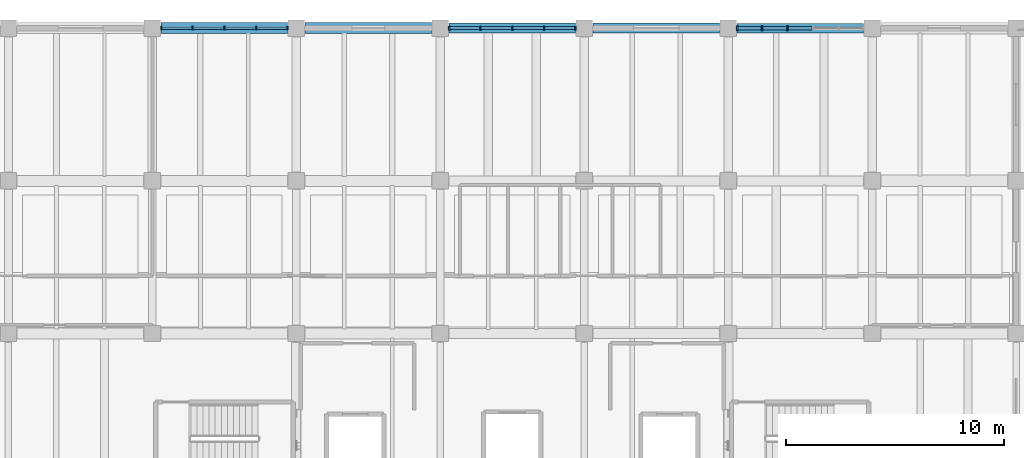
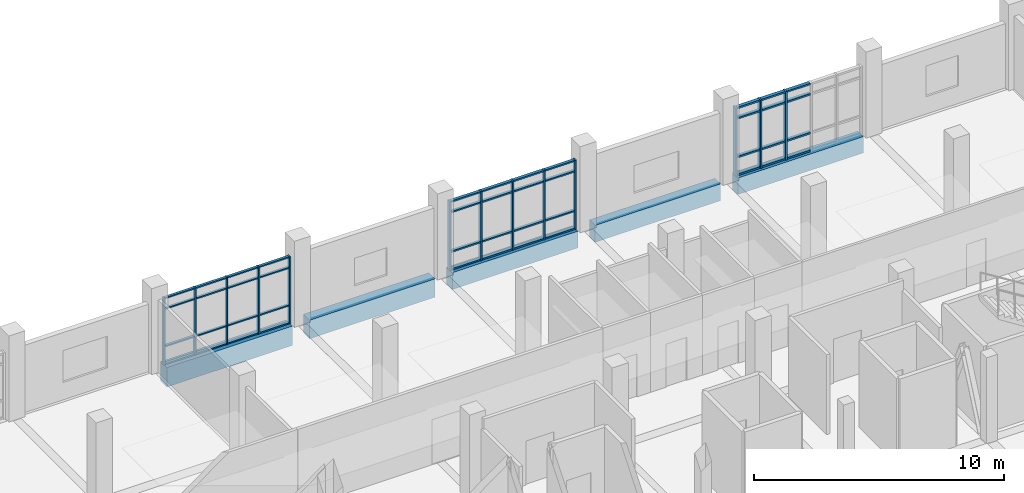
# One storey, part 32 of 65: 57 members, 5 beams, 3 elements without a shape of their own.
"""IFC4 building model written with IfcOpenShell, lengths in metres."""

import ifcopenshell
import ifcopenshell.guid

model = None  # the IFC model being written
_history = None  # IfcOwnerHistory: only IFC2X3 demands one
_inside = {}  # id of a spatial element -> (the spatial element, [elements in it])
_under = {}  # id of a project, library or spatial element -> (it, [spatial elements below it])
_declared = {}  # id of a project -> (the project, [libraries it declares])
_typed = {}  # id of a type object -> (the type object, [elements of that type])
_made_of = {}  # id of a material, layer set ... -> (it, [elements and type objects made of it])


def new_model(schema):
    """Start an empty IFC model of exactly this schema.

    Asked for "IFC4X3", IfcOpenShell would pick the latest addendum, in which some entities
    have other attributes; the version numbers below select the first issue.
    IFC2X3 requires an IfcOwnerHistory on every rooted entity: one is made here for all.
    """
    global model, _history
    if schema == "IFC4X3":
        model = ifcopenshell.file(schema_version=(4, 3, 0, 0))
    else:
        model = ifcopenshell.file(schema=schema)
    _inside.clear()
    _under.clear()
    _declared.clear()
    _typed.clear()
    _made_of.clear()
    _history = None
    if model.schema == "IFC2X3":
        org = make("IfcOrganization", Name="unknown")
        user = make(
            "IfcPersonAndOrganization",
            ThePerson=make("IfcPerson", FamilyName="unknown"),
            TheOrganization=org,
        )
        app = make(
            "IfcApplication",
            ApplicationDeveloper=org,
            Version="unknown",
            ApplicationFullName="unknown",
            ApplicationIdentifier="unknown",
        )
        _history = make(
            "IfcOwnerHistory",
            OwningUser=user,
            OwningApplication=app,
            ChangeAction="ADDED",
            CreationDate=0,
        )
    return model


def make(cls, **values):
    """One entity of the class cls with the attributes given. An attribute that is None is left unset."""
    return model.create_entity(
        cls, **{name: value for name, value in values.items() if value is not None}
    )


def rooted(cls, **values):
    """An entity with a GlobalId (a new one), such as an element, a storey or a relation."""
    return make(cls, GlobalId=ifcopenshell.guid.new(), OwnerHistory=_history, **values)


def si_unit(unit_type, name, prefix=None):
    """IfcSIUnit, for example si_unit("LENGTHUNIT", "METRE", prefix="MILLI")."""
    return make("IfcSIUnit", UnitType=unit_type, Prefix=prefix, Name=name)


def assignment(units):
    """IfcUnitAssignment: the units of a project."""
    return None if units is None else make("IfcUnitAssignment", Units=units)


def point(xyz):
    """IfcCartesianPoint."""
    return None if xyz is None else make("IfcCartesianPoint", Coordinates=xyz)


def direction(xyz):
    """IfcDirection."""
    return None if xyz is None else make("IfcDirection", DirectionRatios=xyz)


def frame(location, z_axis=None, x_axis=None):
    """IfcAxis2Placement3D, a coordinate frame: its origin and axes. An axis left out is left unset."""
    return make(
        "IfcAxis2Placement3D",
        Location=point(location),
        Axis=direction(z_axis),
        RefDirection=direction(x_axis),
    )


def frame_2d(location, x_axis=None):
    """IfcAxis2Placement2D, a coordinate frame in the plane: its origin and x axis."""
    return make(
        "IfcAxis2Placement2D", Location=point(location), RefDirection=direction(x_axis)
    )


def origin():
    """The frame at (0, 0, 0) with its axes left unset."""
    return frame((0.0, 0.0, 0.0))


def origin_2d():
    """The frame at (0, 0) in the plane with its x axis left unset."""
    return frame_2d((0.0, 0.0))


def place(relative_to, where):
    """IfcLocalPlacement: puts the frame where relative to a parent placement (None: the world)."""
    return make(
        "IfcLocalPlacement", PlacementRelTo=relative_to, RelativePlacement=where
    )


def context(
    kind, dimensions, precision=None, world=None, true_north=None, identifier=None
):
    """IfcGeometricRepresentationContext, for example the 3D "Model" context."""
    return make(
        "IfcGeometricRepresentationContext",
        ContextIdentifier=identifier,
        ContextType=kind,
        CoordinateSpaceDimension=dimensions,
        Precision=precision,
        WorldCoordinateSystem=world,
        TrueNorth=true_north,
    )


def subcontext(parent, identifier, kind, view, scale=None):
    """IfcGeometricRepresentationSubContext, for example "Body" below "Model"."""
    return make(
        "IfcGeometricRepresentationSubContext",
        ContextIdentifier=identifier,
        ContextType=kind,
        ParentContext=parent,
        TargetScale=scale,
        TargetView=view,
    )


def project(units=None, contexts=None):
    """IfcProject with its units and contexts."""
    return rooted(
        "IfcProject",
        Name="project",
        RepresentationContexts=contexts,
        UnitsInContext=assignment(units),
    )


def spatial(cls, under=None, at=None, **own):
    """A site, building, storey or space (cls), placed at a placement, below another one or the project."""
    s = rooted(cls, ObjectPlacement=at, **own)
    if under is not None:
        _under.setdefault(under.id(), (under, []))[1].append(s)
    return s


def profile(cls, at=None, kind="AREA", **sizes):
    """A parametric profile (cls). Its sizes go by their IFC names, for example OverallWidth=200.0."""
    return make(cls, ProfileType=kind, Position=at, **sizes)


def rectangle(**sizes):
    """IfcRectangleProfileDef."""
    return profile("IfcRectangleProfileDef", **sizes)


def extrude(swept, where, along, depth):
    """IfcExtrudedAreaSolid: the profile swept, set in the frame where, extruded along a direction by depth."""
    return make(
        "IfcExtrudedAreaSolid",
        SweptArea=swept,
        Position=where,
        ExtrudedDirection=direction(along),
        Depth=depth,
    )


def shape(context_of_items, identifier, shape_type, items):
    """IfcShapeRepresentation: the items that make up one representation, for example the "Body"."""
    return make(
        "IfcShapeRepresentation",
        ContextOfItems=context_of_items,
        RepresentationIdentifier=identifier,
        RepresentationType=shape_type,
        Items=items,
    )


def material(Name=None, Category=None):
    """IfcMaterial."""
    return make("IfcMaterial", Name=Name, Category=Category)


def material_profile(
    of_material, cross_section, Name=None, Category=None, Priority=None
):
    """IfcMaterialProfile: a cross section and its material."""
    return make(
        "IfcMaterialProfile",
        Name=Name,
        Material=of_material,
        Profile=cross_section,
        Priority=Priority,
        Category=Category,
    )


def profile_set(profiles, Name=None, composite=None):
    """IfcMaterialProfileSet."""
    return make(
        "IfcMaterialProfileSet",
        Name=Name,
        MaterialProfiles=profiles,
        CompositeProfile=composite,
    )


def made_of(thing, what):
    """Note that an element or type object is made of a material, layer set ...; save() writes the relation."""
    if what is not None:
        _made_of.setdefault(what.id(), (what, []))[1].append(thing)
    return thing


def type_object(cls, material=None, **own):
    """A type object (cls), such as IfcWallType, which elements share."""
    return made_of(rooted(cls, **own), material)


def element(
    cls,
    number,
    at=None,
    inside=None,
    cuts=None,
    type_object=None,
    material=None,
    context=None,
    identifier="Body",
    shape_type=None,
    held_by="IfcProductDefinitionShape",
    body=None,
    shapes=None,
    **own,
):
    """One element of the class cls, such as IfcWall. Its Tag is "e" and its number.

    at: its placement. inside: the storey or other place that contains it. cuts: it is an
    opening in that element (IfcRelVoidsElement). A single representation is given by context,
    identifier, shape_type and body (its items); several are given by shapes. held_by: the class
    of the entity that holds the representations. save() writes the other relations.
    """
    e = rooted(cls, Tag="e%d" % number, ObjectPlacement=at, **own)
    if body is not None:
        shapes = [shape(context, identifier, shape_type, body)]
    if shapes is not None:
        e.Representation = make(held_by, Representations=shapes)
    if inside is not None:
        _inside.setdefault(inside.id(), (inside, []))[1].append(e)
    if cuts is not None:
        rooted(
            "IfcRelVoidsElement", RelatingBuildingElement=cuts, RelatedOpeningElement=e
        )
    if type_object is not None:
        _typed.setdefault(type_object.id(), (type_object, []))[1].append(e)
    return made_of(e, material)


def aggregate(whole, parts):
    """IfcRelAggregates: a whole, such as a stair, and the parts it consists of."""
    return rooted("IfcRelAggregates", RelatingObject=whole, RelatedObjects=parts)


def save(model, path):
    """Write the relations noted so far, then the file.

    IfcRelAggregates (storeys below a building ...), IfcRelContainedInSpatialStructure (elements
    in a storey), IfcRelDefinesByType, IfcRelAssociatesMaterial and IfcRelDeclares: one each for
    every whole, place, type object, material and project.
    """
    for whole, parts in _under.values():
        aggregate(whole, parts)
    for where, things in _inside.values():
        rooted(
            "IfcRelContainedInSpatialStructure",
            RelatedElements=things,
            RelatingStructure=where,
        )
    for kind, things in _typed.values():
        rooted("IfcRelDefinesByType", RelatedObjects=things, RelatingType=kind)
    for what, things in _made_of.values():
        rooted("IfcRelAssociatesMaterial", RelatedObjects=things, RelatingMaterial=what)
    for by, libraries in _declared.values():
        rooted("IfcRelDeclares", RelatingContext=by, RelatedDefinitions=libraries)
    model.write(path)


model = new_model("IFC4")

# Units and contexts
model_context = context("Model", 3, precision=1e-05, world=origin(), true_north=direction((0.0, 1.0)))
body_context = subcontext(model_context, "Body", "Model", "MODEL_VIEW")
ifc_project = project(units=[si_unit("LENGTHUNIT", "METRE"), si_unit("AREAUNIT", "SQUARE_METRE"), si_unit("VOLUMEUNIT", "CUBIC_METRE"), si_unit("PLANEANGLEUNIT", "RADIAN"), si_unit("MASSUNIT", "GRAM", prefix="KILO")], contexts=[model_context])

# Site, building, storey
site_placement = place(None, origin())
site = spatial("IfcSite", under=ifc_project, at=site_placement, CompositionType="ELEMENT")
building_placement = place(site_placement, origin())
building = spatial("IfcBuilding", under=site, at=building_placement, Name="Ciguamira Faculty of Natural Sciences", CompositionType="ELEMENT")
storey_placement = place(building_placement, frame((0.0, 0.0, 12.60009765625)))
storey = spatial("IfcBuildingStorey", under=building, at=storey_placement, Name="L03", CompositionType="ELEMENT", Elevation=12.60009765625)

# Curtain wall, members
ifc_material_1 = material(Name="Anodized aluminium curtain wall", Category="aluminium")
curtain_wall_type_1 = type_object("IfcCurtainWallType", Name="CurtainWall_CW-01", PredefinedType="USERDEFINED", material=ifc_material_1)
curtain_wall_1_placement = place(storey_placement, origin())
curtain_wall_1 = element("IfcCurtainWall", 1, at=curtain_wall_1_placement, inside=storey, type_object=curtain_wall_type_1, Name="L03 unitised curtain wall 0097", ObjectType="UNITISED CURTAIN WALL", PredefinedType="USERDEFINED")
ifc_material_2 = material(Name="Anodized aluminium mullion", Category="aluminium")
ifc_material_profile_1 = material_profile(ifc_material_2, rectangle(XDim=0.06005859375, YDim=0.159912109375, at=origin_2d()), Name="ALU-MUL-60X160")
ifc_profile_set_1 = profile_set([ifc_material_profile_1], Name="Anodized aluminium mullion")
member_type_1 = type_object("IfcMemberType", Name="CWMullion_CWM-01", PredefinedType="MULLION", material=ifc_profile_set_1)
member_1_placement = place(storey_placement, frame((70.905029296875, 115.0, 0.0), z_axis=(0.0, 0.0, 1.0), x_axis=(1.0, 0.0, 0.0)))
member_1 = element("IfcMember", 2, at=member_1_placement, type_object=member_type_1, Name="CW-01 mullion 1", PredefinedType="MULLION", context=body_context, shape_type="SweptSolid", body=[
    extrude(rectangle(XDim=0.06005859375, YDim=0.159912109375, at=origin_2d()), origin(), (0.0, 0.0, 1.0), 3.284912109375),
])
member_2_placement = place(storey_placement, frame((72.33740234375, 115.0, 0.0), z_axis=(0.0, 0.0, 1.0), x_axis=(1.0, 0.0, 0.0)))
member_2 = element("IfcMember", 3, at=member_2_placement, type_object=member_type_1, Name="CW-01 mullion 2", PredefinedType="MULLION", context=body_context, shape_type="SweptSolid", body=[
    extrude(rectangle(XDim=0.06005859375, YDim=0.159912109375, at=origin_2d()), origin(), (0.0, 0.0, 1.0), 3.284912109375),
])
member_3_placement = place(storey_placement, frame((73.800048828125, 115.0, 0.0), z_axis=(0.0, 0.0, 1.0), x_axis=(1.0, 0.0, 0.0)))
member_3 = element("IfcMember", 4, at=member_3_placement, type_object=member_type_1, Name="CW-01 mullion 3", PredefinedType="MULLION", context=body_context, shape_type="SweptSolid", body=[
    extrude(rectangle(XDim=0.06005859375, YDim=0.159912109375, at=origin_2d()), origin(), (0.0, 0.0, 1.0), 3.284912109375),
])
member_4_placement = place(storey_placement, frame((75.262451171875, 115.0, 0.0), z_axis=(0.0, 0.0, 1.0), x_axis=(1.0, 0.0, 0.0)))
member_4 = element("IfcMember", 5, at=member_4_placement, type_object=member_type_1, Name="CW-01 mullion 4", PredefinedType="MULLION", context=body_context, shape_type="SweptSolid", body=[
    extrude(rectangle(XDim=0.06005859375, YDim=0.159912109375, at=origin_2d()), origin(), (0.0, 0.0, 1.0), 3.284912109375),
])
member_5_placement = place(storey_placement, frame((76.695068359375, 115.0, 0.0), z_axis=(0.0, 0.0, 1.0), x_axis=(1.0, 0.0, 0.0)))
member_5 = element("IfcMember", 6, at=member_5_placement, type_object=member_type_1, Name="CW-01 mullion 5", PredefinedType="MULLION", context=body_context, shape_type="SweptSolid", body=[
    extrude(rectangle(XDim=0.06005859375, YDim=0.159912109375, at=origin_2d()), origin(), (0.0, 0.0, 1.0), 3.284912109375),
])

curtain_wall_type_2 = type_object("IfcCurtainWallType", Name="CurtainWall_CW-02", PredefinedType="USERDEFINED", material=ifc_material_1)
curtain_wall_2_placement = place(storey_placement, origin())
curtain_wall_2 = element("IfcCurtainWall", 7, at=curtain_wall_2_placement, inside=storey, type_object=curtain_wall_type_2, Name="L03 unitised curtain wall 0098", ObjectType="UNITISED CURTAIN WALL", PredefinedType="USERDEFINED")
ifc_material_profile_2 = material_profile(ifc_material_2, rectangle(XDim=0.070068359375, YDim=0.179931640625, at=origin_2d()), Name="ALU-MUL-70X180")
ifc_profile_set_2 = profile_set([ifc_material_profile_2], Name="Anodized aluminium mullion")
member_type_2 = type_object("IfcMemberType", Name="CWMullion_CWM-02", PredefinedType="MULLION", material=ifc_profile_set_2)
member_6_placement = place(storey_placement, frame((84.110107421875, 115.0, 0.0), z_axis=(0.0, 0.0, 1.0), x_axis=(1.0, 0.0, 0.0)))
member_6 = element("IfcMember", 8, at=member_6_placement, type_object=member_type_2, Name="CW-02 mullion 1", PredefinedType="MULLION", context=body_context, shape_type="SweptSolid", body=[
    extrude(rectangle(XDim=0.070068359375, YDim=0.179931640625, at=origin_2d()), origin(), (0.0, 0.0, 1.0), 3.385009765625),
])
member_7_placement = place(storey_placement, frame((85.53759765625, 115.0, 0.0), z_axis=(0.0, 0.0, 1.0), x_axis=(1.0, 0.0, 0.0)))
member_7 = element("IfcMember", 9, at=member_7_placement, type_object=member_type_2, Name="CW-02 mullion 2", PredefinedType="MULLION", context=body_context, shape_type="SweptSolid", body=[
    extrude(rectangle(XDim=0.070068359375, YDim=0.179931640625, at=origin_2d()), origin(), (0.0, 0.0, 1.0), 3.385009765625),
])
member_8_placement = place(storey_placement, frame((87.0, 115.0, 0.0), z_axis=(0.0, 0.0, 1.0), x_axis=(1.0, 0.0, 0.0)))
member_8 = element("IfcMember", 10, at=member_8_placement, type_object=member_type_2, Name="CW-02 mullion 3", PredefinedType="MULLION", context=body_context, shape_type="SweptSolid", body=[
    extrude(rectangle(XDim=0.070068359375, YDim=0.179931640625, at=origin_2d()), origin(), (0.0, 0.0, 1.0), 3.385009765625),
])
member_9_placement = place(storey_placement, frame((88.46240234375, 115.0, 0.0), z_axis=(0.0, 0.0, 1.0), x_axis=(1.0, 0.0, 0.0)))
member_9 = element("IfcMember", 11, at=member_9_placement, type_object=member_type_2, Name="CW-02 mullion 4", PredefinedType="MULLION", context=body_context, shape_type="SweptSolid", body=[
    extrude(rectangle(XDim=0.070068359375, YDim=0.179931640625, at=origin_2d()), origin(), (0.0, 0.0, 1.0), 3.385009765625),
])
member_10_placement = place(storey_placement, frame((89.889892578125, 115.0, 0.0), z_axis=(0.0, 0.0, 1.0), x_axis=(1.0, 0.0, 0.0)))
member_10 = element("IfcMember", 12, at=member_10_placement, type_object=member_type_2, Name="CW-02 mullion 5", PredefinedType="MULLION", context=body_context, shape_type="SweptSolid", body=[
    extrude(rectangle(XDim=0.070068359375, YDim=0.179931640625, at=origin_2d()), origin(), (0.0, 0.0, 1.0), 3.385009765625),
])

curtain_wall_type_3 = type_object("IfcCurtainWallType", Name="CurtainWall_CW-03", PredefinedType="USERDEFINED", material=ifc_material_1)
curtain_wall_3_placement = place(storey_placement, origin())
curtain_wall_3 = element("IfcCurtainWall", 13, at=curtain_wall_3_placement, inside=storey, type_object=curtain_wall_type_3, Name="L03 unitised curtain wall 0099", ObjectType="UNITISED CURTAIN WALL", PredefinedType="USERDEFINED")
ifc_material_profile_3 = material_profile(ifc_material_2, rectangle(XDim=0.080078125, YDim=0.219970703125, at=origin_2d()), Name="ALU-MUL-80X220")
ifc_profile_set_3 = profile_set([ifc_material_profile_3], Name="Anodized aluminium mullion")
member_type_3 = type_object("IfcMemberType", Name="CWMullion_CWM-03", PredefinedType="MULLION", material=ifc_profile_set_3)
member_11_placement = place(storey_placement, frame((97.31494140625, 115.0, 0.0), z_axis=(0.0, 0.0, 1.0), x_axis=(1.0, 0.0, 0.0)))
member_11 = element("IfcMember", 14, at=member_11_placement, type_object=member_type_3, Name="CW-03 mullion 1", PredefinedType="MULLION", context=body_context, shape_type="SweptSolid", body=[
    extrude(rectangle(XDim=0.080078125, YDim=0.219970703125, at=origin_2d()), origin(), (0.0, 0.0, 1.0), 3.344970703125),
])
member_12_placement = place(storey_placement, frame((98.445068359375, 115.0, 0.0), z_axis=(0.0, 0.0, 1.0), x_axis=(1.0, 0.0, 0.0)))
member_12 = element("IfcMember", 15, at=member_12_placement, type_object=member_type_3, Name="CW-03 mullion 2", PredefinedType="MULLION", context=body_context, shape_type="SweptSolid", body=[
    extrude(rectangle(XDim=0.080078125, YDim=0.219970703125, at=origin_2d()), origin(), (0.0, 0.0, 1.0), 3.344970703125),
])
member_13_placement = place(storey_placement, frame((99.614990234375, 115.0, 0.0), z_axis=(0.0, 0.0, 1.0), x_axis=(1.0, 0.0, 0.0)))
member_13 = element("IfcMember", 16, at=member_13_placement, type_object=member_type_3, Name="CW-03 mullion 3", PredefinedType="MULLION", context=body_context, shape_type="SweptSolid", body=[
    extrude(rectangle(XDim=0.080078125, YDim=0.219970703125, at=origin_2d()), origin(), (0.0, 0.0, 1.0), 3.344970703125),
])

# Member
ifc_material_3 = material(Name="Anodized aluminium transom", Category="aluminium")
ifc_material_profile_4 = material_profile(ifc_material_3, rectangle(XDim=0.06005859375, YDim=0.1201171875, at=origin_2d()), Name="ALU-TRN-60X120")
ifc_profile_set_4 = profile_set([ifc_material_profile_4], Name="Anodized aluminium transom")
member_type_4 = type_object("IfcMemberType", Name="CWTransom_CWT-01", PredefinedType="USERDEFINED", material=ifc_profile_set_4)
member_14_placement = place(storey_placement, frame((70.93505859375, 115.0, 0.02978515625), z_axis=(1.0, 0.0, 0.0), x_axis=(0.0, 0.0, 1.0)))
member_14 = element("IfcMember", 17, at=member_14_placement, type_object=member_type_4, Name="CW-01 transom 1.1", ObjectType="TRANSOM", PredefinedType="USERDEFINED", context=body_context, shape_type="SweptSolid", body=[
    extrude(rectangle(XDim=0.06005859375, YDim=0.1201171875, at=origin_2d()), origin(), (0.0, 0.0, 1.0), 1.37255859375),
])

member_15_placement = place(storey_placement, frame((70.93505859375, 115.0, 0.89990234375), z_axis=(1.0, 0.0, 0.0), x_axis=(0.0, 0.0, 1.0)))
member_15 = element("IfcMember", 18, at=member_15_placement, type_object=member_type_4, Name="CW-01 transom 1.2", ObjectType="TRANSOM", PredefinedType="USERDEFINED", context=body_context, shape_type="SweptSolid", body=[
    extrude(rectangle(XDim=0.06005859375, YDim=0.1201171875, at=origin_2d()), origin(), (0.0, 0.0, 1.0), 1.37255859375),
])

member_16_placement = place(storey_placement, frame((70.93505859375, 115.0, 2.73486328125), z_axis=(1.0, 0.0, 0.0), x_axis=(0.0, 0.0, 1.0)))
member_16 = element("IfcMember", 19, at=member_16_placement, type_object=member_type_4, Name="CW-01 transom 1.3", ObjectType="TRANSOM", PredefinedType="USERDEFINED", context=body_context, shape_type="SweptSolid", body=[
    extrude(rectangle(XDim=0.06005859375, YDim=0.1201171875, at=origin_2d()), origin(), (0.0, 0.0, 1.0), 1.37255859375),
])

member_17_placement = place(storey_placement, frame((70.93505859375, 115.0, 3.2548828125), z_axis=(1.0, 0.0, 0.0), x_axis=(0.0, 0.0, 1.0)))
member_17 = element("IfcMember", 20, at=member_17_placement, type_object=member_type_4, Name="CW-01 transom 1.4", ObjectType="TRANSOM", PredefinedType="USERDEFINED", context=body_context, shape_type="SweptSolid", body=[
    extrude(rectangle(XDim=0.06005859375, YDim=0.1201171875, at=origin_2d()), origin(), (0.0, 0.0, 1.0), 1.37255859375),
])

member_18_placement = place(storey_placement, frame((72.367431640625, 115.0, 0.02978515625), z_axis=(1.0, 0.0, 0.0), x_axis=(0.0, 0.0, 1.0)))
member_18 = element("IfcMember", 21, at=member_18_placement, type_object=member_type_4, Name="CW-01 transom 2.1", ObjectType="TRANSOM", PredefinedType="USERDEFINED", context=body_context, shape_type="SweptSolid", body=[
    extrude(rectangle(XDim=0.06005859375, YDim=0.1201171875, at=origin_2d()), origin(), (0.0, 0.0, 1.0), 1.402587890625),
])

member_19_placement = place(storey_placement, frame((72.367431640625, 115.0, 0.89990234375), z_axis=(1.0, 0.0, 0.0), x_axis=(0.0, 0.0, 1.0)))
member_19 = element("IfcMember", 22, at=member_19_placement, type_object=member_type_4, Name="CW-01 transom 2.2", ObjectType="TRANSOM", PredefinedType="USERDEFINED", context=body_context, shape_type="SweptSolid", body=[
    extrude(rectangle(XDim=0.06005859375, YDim=0.1201171875, at=origin_2d()), origin(), (0.0, 0.0, 1.0), 1.402587890625),
])

member_20_placement = place(storey_placement, frame((72.367431640625, 115.0, 2.73486328125), z_axis=(1.0, 0.0, 0.0), x_axis=(0.0, 0.0, 1.0)))
member_20 = element("IfcMember", 23, at=member_20_placement, type_object=member_type_4, Name="CW-01 transom 2.3", ObjectType="TRANSOM", PredefinedType="USERDEFINED", context=body_context, shape_type="SweptSolid", body=[
    extrude(rectangle(XDim=0.06005859375, YDim=0.1201171875, at=origin_2d()), origin(), (0.0, 0.0, 1.0), 1.402587890625),
])

member_21_placement = place(storey_placement, frame((72.367431640625, 115.0, 3.2548828125), z_axis=(1.0, 0.0, 0.0), x_axis=(0.0, 0.0, 1.0)))
member_21 = element("IfcMember", 24, at=member_21_placement, type_object=member_type_4, Name="CW-01 transom 2.4", ObjectType="TRANSOM", PredefinedType="USERDEFINED", context=body_context, shape_type="SweptSolid", body=[
    extrude(rectangle(XDim=0.06005859375, YDim=0.1201171875, at=origin_2d()), origin(), (0.0, 0.0, 1.0), 1.402587890625),
])

member_22_placement = place(storey_placement, frame((73.830078125, 115.0, 0.02978515625), z_axis=(1.0, 0.0, 0.0), x_axis=(0.0, 0.0, 1.0)))
member_22 = element("IfcMember", 25, at=member_22_placement, type_object=member_type_4, Name="CW-01 transom 3.1", ObjectType="TRANSOM", PredefinedType="USERDEFINED", context=body_context, shape_type="SweptSolid", body=[
    extrude(rectangle(XDim=0.06005859375, YDim=0.1201171875, at=origin_2d()), origin(), (0.0, 0.0, 1.0), 1.40234375),
])

member_23_placement = place(storey_placement, frame((73.830078125, 115.0, 0.89990234375), z_axis=(1.0, 0.0, 0.0), x_axis=(0.0, 0.0, 1.0)))
member_23 = element("IfcMember", 26, at=member_23_placement, type_object=member_type_4, Name="CW-01 transom 3.2", ObjectType="TRANSOM", PredefinedType="USERDEFINED", context=body_context, shape_type="SweptSolid", body=[
    extrude(rectangle(XDim=0.06005859375, YDim=0.1201171875, at=origin_2d()), origin(), (0.0, 0.0, 1.0), 1.40234375),
])

member_24_placement = place(storey_placement, frame((73.830078125, 115.0, 2.73486328125), z_axis=(1.0, 0.0, 0.0), x_axis=(0.0, 0.0, 1.0)))
member_24 = element("IfcMember", 27, at=member_24_placement, type_object=member_type_4, Name="CW-01 transom 3.3", ObjectType="TRANSOM", PredefinedType="USERDEFINED", context=body_context, shape_type="SweptSolid", body=[
    extrude(rectangle(XDim=0.06005859375, YDim=0.1201171875, at=origin_2d()), origin(), (0.0, 0.0, 1.0), 1.40234375),
])

member_25_placement = place(storey_placement, frame((73.830078125, 115.0, 3.2548828125), z_axis=(1.0, 0.0, 0.0), x_axis=(0.0, 0.0, 1.0)))
member_25 = element("IfcMember", 28, at=member_25_placement, type_object=member_type_4, Name="CW-01 transom 3.4", ObjectType="TRANSOM", PredefinedType="USERDEFINED", context=body_context, shape_type="SweptSolid", body=[
    extrude(rectangle(XDim=0.06005859375, YDim=0.1201171875, at=origin_2d()), origin(), (0.0, 0.0, 1.0), 1.40234375),
])

member_26_placement = place(storey_placement, frame((75.29248046875, 115.0, 0.02978515625), z_axis=(1.0, 0.0, 0.0), x_axis=(0.0, 0.0, 1.0)))
member_26 = element("IfcMember", 29, at=member_26_placement, type_object=member_type_4, Name="CW-01 transom 4.1", ObjectType="TRANSOM", PredefinedType="USERDEFINED", context=body_context, shape_type="SweptSolid", body=[
    extrude(rectangle(XDim=0.06005859375, YDim=0.1201171875, at=origin_2d()), origin(), (0.0, 0.0, 1.0), 1.37255859375),
])

member_27_placement = place(storey_placement, frame((75.29248046875, 115.0, 0.89990234375), z_axis=(1.0, 0.0, 0.0), x_axis=(0.0, 0.0, 1.0)))
member_27 = element("IfcMember", 30, at=member_27_placement, type_object=member_type_4, Name="CW-01 transom 4.2", ObjectType="TRANSOM", PredefinedType="USERDEFINED", context=body_context, shape_type="SweptSolid", body=[
    extrude(rectangle(XDim=0.06005859375, YDim=0.1201171875, at=origin_2d()), origin(), (0.0, 0.0, 1.0), 1.37255859375),
])

member_28_placement = place(storey_placement, frame((75.29248046875, 115.0, 2.73486328125), z_axis=(1.0, 0.0, 0.0), x_axis=(0.0, 0.0, 1.0)))
member_28 = element("IfcMember", 31, at=member_28_placement, type_object=member_type_4, Name="CW-01 transom 4.3", ObjectType="TRANSOM", PredefinedType="USERDEFINED", context=body_context, shape_type="SweptSolid", body=[
    extrude(rectangle(XDim=0.06005859375, YDim=0.1201171875, at=origin_2d()), origin(), (0.0, 0.0, 1.0), 1.37255859375),
])

member_29_placement = place(storey_placement, frame((75.29248046875, 115.0, 3.2548828125), z_axis=(1.0, 0.0, 0.0), x_axis=(0.0, 0.0, 1.0)))
member_29 = element("IfcMember", 32, at=member_29_placement, type_object=member_type_4, Name="CW-01 transom 4.4", ObjectType="TRANSOM", PredefinedType="USERDEFINED", context=body_context, shape_type="SweptSolid", body=[
    extrude(rectangle(XDim=0.06005859375, YDim=0.1201171875, at=origin_2d()), origin(), (0.0, 0.0, 1.0), 1.37255859375),
])

aggregate(curtain_wall_1, [member_1, member_2, member_3, member_4, member_5, member_14, member_15, member_16, member_17, member_18, member_19, member_20, member_21, member_22, member_23, member_24, member_25, member_26, member_27, member_28, member_29])

ifc_material_profile_5 = material_profile(ifc_material_3, rectangle(XDim=0.070068359375, YDim=0.139892578125, at=origin_2d()), Name="ALU-TRN-70X140")
ifc_profile_set_5 = profile_set([ifc_material_profile_5], Name="Anodized aluminium transom")
member_type_5 = type_object("IfcMemberType", Name="CWTransom_CWT-02", PredefinedType="USERDEFINED", material=ifc_profile_set_5)
member_30_placement = place(storey_placement, frame((84.14501953125, 115.0, 0.034912109375), z_axis=(1.0, 0.0, 0.0), x_axis=(0.0, 0.0, 1.0)))
member_30 = element("IfcMember", 33, at=member_30_placement, type_object=member_type_5, Name="CW-02 transom 1.1", ObjectType="TRANSOM", PredefinedType="USERDEFINED", context=body_context, shape_type="SweptSolid", body=[
    extrude(rectangle(XDim=0.070068359375, YDim=0.139892578125, at=origin_2d()), origin(), (0.0, 0.0, 1.0), 1.357421875),
])

member_31_placement = place(storey_placement, frame((84.14501953125, 115.0, 0.89990234375), z_axis=(1.0, 0.0, 0.0), x_axis=(0.0, 0.0, 1.0)))
member_31 = element("IfcMember", 34, at=member_31_placement, type_object=member_type_5, Name="CW-02 transom 1.2", ObjectType="TRANSOM", PredefinedType="USERDEFINED", context=body_context, shape_type="SweptSolid", body=[
    extrude(rectangle(XDim=0.070068359375, YDim=0.139892578125, at=origin_2d()), origin(), (0.0, 0.0, 1.0), 1.357421875),
])

member_32_placement = place(storey_placement, frame((84.14501953125, 115.0, 2.8349609375), z_axis=(1.0, 0.0, 0.0), x_axis=(0.0, 0.0, 1.0)))
member_32 = element("IfcMember", 35, at=member_32_placement, type_object=member_type_5, Name="CW-02 transom 1.3", ObjectType="TRANSOM", PredefinedType="USERDEFINED", context=body_context, shape_type="SweptSolid", body=[
    extrude(rectangle(XDim=0.070068359375, YDim=0.139892578125, at=origin_2d()), origin(), (0.0, 0.0, 1.0), 1.357421875),
])

member_33_placement = place(storey_placement, frame((84.14501953125, 115.0, 3.349853515625), z_axis=(1.0, 0.0, 0.0), x_axis=(0.0, 0.0, 1.0)))
member_33 = element("IfcMember", 36, at=member_33_placement, type_object=member_type_5, Name="CW-02 transom 1.4", ObjectType="TRANSOM", PredefinedType="USERDEFINED", context=body_context, shape_type="SweptSolid", body=[
    extrude(rectangle(XDim=0.070068359375, YDim=0.139892578125, at=origin_2d()), origin(), (0.0, 0.0, 1.0), 1.357421875),
])

member_34_placement = place(storey_placement, frame((85.572509765625, 115.0, 0.034912109375), z_axis=(1.0, 0.0, 0.0), x_axis=(0.0, 0.0, 1.0)))
member_34 = element("IfcMember", 37, at=member_34_placement, type_object=member_type_5, Name="CW-02 transom 2.1", ObjectType="TRANSOM", PredefinedType="USERDEFINED", context=body_context, shape_type="SweptSolid", body=[
    extrude(rectangle(XDim=0.070068359375, YDim=0.139892578125, at=origin_2d()), origin(), (0.0, 0.0, 1.0), 1.392578125),
])

member_35_placement = place(storey_placement, frame((85.572509765625, 115.0, 0.89990234375), z_axis=(1.0, 0.0, 0.0), x_axis=(0.0, 0.0, 1.0)))
member_35 = element("IfcMember", 38, at=member_35_placement, type_object=member_type_5, Name="CW-02 transom 2.2", ObjectType="TRANSOM", PredefinedType="USERDEFINED", context=body_context, shape_type="SweptSolid", body=[
    extrude(rectangle(XDim=0.070068359375, YDim=0.139892578125, at=origin_2d()), origin(), (0.0, 0.0, 1.0), 1.392578125),
])

member_36_placement = place(storey_placement, frame((85.572509765625, 115.0, 2.8349609375), z_axis=(1.0, 0.0, 0.0), x_axis=(0.0, 0.0, 1.0)))
member_36 = element("IfcMember", 39, at=member_36_placement, type_object=member_type_5, Name="CW-02 transom 2.3", ObjectType="TRANSOM", PredefinedType="USERDEFINED", context=body_context, shape_type="SweptSolid", body=[
    extrude(rectangle(XDim=0.070068359375, YDim=0.139892578125, at=origin_2d()), origin(), (0.0, 0.0, 1.0), 1.392578125),
])

member_37_placement = place(storey_placement, frame((85.572509765625, 115.0, 3.349853515625), z_axis=(1.0, 0.0, 0.0), x_axis=(0.0, 0.0, 1.0)))
member_37 = element("IfcMember", 40, at=member_37_placement, type_object=member_type_5, Name="CW-02 transom 2.4", ObjectType="TRANSOM", PredefinedType="USERDEFINED", context=body_context, shape_type="SweptSolid", body=[
    extrude(rectangle(XDim=0.070068359375, YDim=0.139892578125, at=origin_2d()), origin(), (0.0, 0.0, 1.0), 1.392578125),
])

member_38_placement = place(storey_placement, frame((87.034912109375, 115.0, 0.034912109375), z_axis=(1.0, 0.0, 0.0), x_axis=(0.0, 0.0, 1.0)))
member_38 = element("IfcMember", 41, at=member_38_placement, type_object=member_type_5, Name="CW-02 transom 3.1", ObjectType="TRANSOM", PredefinedType="USERDEFINED", context=body_context, shape_type="SweptSolid", body=[
    extrude(rectangle(XDim=0.070068359375, YDim=0.139892578125, at=origin_2d()), origin(), (0.0, 0.0, 1.0), 1.392578125),
])

member_39_placement = place(storey_placement, frame((87.034912109375, 115.0, 0.89990234375), z_axis=(1.0, 0.0, 0.0), x_axis=(0.0, 0.0, 1.0)))
member_39 = element("IfcMember", 42, at=member_39_placement, type_object=member_type_5, Name="CW-02 transom 3.2", ObjectType="TRANSOM", PredefinedType="USERDEFINED", context=body_context, shape_type="SweptSolid", body=[
    extrude(rectangle(XDim=0.070068359375, YDim=0.139892578125, at=origin_2d()), origin(), (0.0, 0.0, 1.0), 1.392578125),
])

member_40_placement = place(storey_placement, frame((87.034912109375, 115.0, 2.8349609375), z_axis=(1.0, 0.0, 0.0), x_axis=(0.0, 0.0, 1.0)))
member_40 = element("IfcMember", 43, at=member_40_placement, type_object=member_type_5, Name="CW-02 transom 3.3", ObjectType="TRANSOM", PredefinedType="USERDEFINED", context=body_context, shape_type="SweptSolid", body=[
    extrude(rectangle(XDim=0.070068359375, YDim=0.139892578125, at=origin_2d()), origin(), (0.0, 0.0, 1.0), 1.392578125),
])

member_41_placement = place(storey_placement, frame((87.034912109375, 115.0, 3.349853515625), z_axis=(1.0, 0.0, 0.0), x_axis=(0.0, 0.0, 1.0)))
member_41 = element("IfcMember", 44, at=member_41_placement, type_object=member_type_5, Name="CW-02 transom 3.4", ObjectType="TRANSOM", PredefinedType="USERDEFINED", context=body_context, shape_type="SweptSolid", body=[
    extrude(rectangle(XDim=0.070068359375, YDim=0.139892578125, at=origin_2d()), origin(), (0.0, 0.0, 1.0), 1.392578125),
])

member_42_placement = place(storey_placement, frame((88.49755859375, 115.0, 0.034912109375), z_axis=(1.0, 0.0, 0.0), x_axis=(0.0, 0.0, 1.0)))
member_42 = element("IfcMember", 45, at=member_42_placement, type_object=member_type_5, Name="CW-02 transom 4.1", ObjectType="TRANSOM", PredefinedType="USERDEFINED", context=body_context, shape_type="SweptSolid", body=[
    extrude(rectangle(XDim=0.070068359375, YDim=0.139892578125, at=origin_2d()), origin(), (0.0, 0.0, 1.0), 1.357421875),
])

member_43_placement = place(storey_placement, frame((88.49755859375, 115.0, 0.89990234375), z_axis=(1.0, 0.0, 0.0), x_axis=(0.0, 0.0, 1.0)))
member_43 = element("IfcMember", 46, at=member_43_placement, type_object=member_type_5, Name="CW-02 transom 4.2", ObjectType="TRANSOM", PredefinedType="USERDEFINED", context=body_context, shape_type="SweptSolid", body=[
    extrude(rectangle(XDim=0.070068359375, YDim=0.139892578125, at=origin_2d()), origin(), (0.0, 0.0, 1.0), 1.357421875),
])

member_44_placement = place(storey_placement, frame((88.49755859375, 115.0, 2.8349609375), z_axis=(1.0, 0.0, 0.0), x_axis=(0.0, 0.0, 1.0)))
member_44 = element("IfcMember", 47, at=member_44_placement, type_object=member_type_5, Name="CW-02 transom 4.3", ObjectType="TRANSOM", PredefinedType="USERDEFINED", context=body_context, shape_type="SweptSolid", body=[
    extrude(rectangle(XDim=0.070068359375, YDim=0.139892578125, at=origin_2d()), origin(), (0.0, 0.0, 1.0), 1.357421875),
])

member_45_placement = place(storey_placement, frame((88.49755859375, 115.0, 3.349853515625), z_axis=(1.0, 0.0, 0.0), x_axis=(0.0, 0.0, 1.0)))
member_45 = element("IfcMember", 48, at=member_45_placement, type_object=member_type_5, Name="CW-02 transom 4.4", ObjectType="TRANSOM", PredefinedType="USERDEFINED", context=body_context, shape_type="SweptSolid", body=[
    extrude(rectangle(XDim=0.070068359375, YDim=0.139892578125, at=origin_2d()), origin(), (0.0, 0.0, 1.0), 1.357421875),
])

aggregate(curtain_wall_2, [member_6, member_7, member_8, member_9, member_10, member_30, member_31, member_32, member_33, member_34, member_35, member_36, member_37, member_38, member_39, member_40, member_41, member_42, member_43, member_44, member_45])

ifc_material_profile_6 = material_profile(ifc_material_3, rectangle(XDim=0.080078125, YDim=0.159912109375, at=origin_2d()), Name="ALU-TRN-80X160")
ifc_profile_set_6 = profile_set([ifc_material_profile_6], Name="Anodized aluminium transom")
member_type_6 = type_object("IfcMemberType", Name="CWTransom_CWT-03", PredefinedType="USERDEFINED", material=ifc_profile_set_6)
member_46_placement = place(storey_placement, frame((97.35498046875, 115.0, 0.039794921875), z_axis=(1.0, 0.0, 0.0), x_axis=(0.0, 0.0, 1.0)))
member_46 = element("IfcMember", 49, at=member_46_placement, type_object=member_type_6, Name="CW-03 transom 1.1", ObjectType="TRANSOM", PredefinedType="USERDEFINED", context=body_context, shape_type="SweptSolid", body=[
    extrude(rectangle(XDim=0.080078125, YDim=0.159912109375, at=origin_2d()), origin(), (0.0, 0.0, 1.0), 1.050048828125),
])

member_47_placement = place(storey_placement, frame((97.35498046875, 115.0, 0.89990234375), z_axis=(1.0, 0.0, 0.0), x_axis=(0.0, 0.0, 1.0)))
member_47 = element("IfcMember", 50, at=member_47_placement, type_object=member_type_6, Name="CW-03 transom 1.2", ObjectType="TRANSOM", PredefinedType="USERDEFINED", context=body_context, shape_type="SweptSolid", body=[
    extrude(rectangle(XDim=0.080078125, YDim=0.159912109375, at=origin_2d()), origin(), (0.0, 0.0, 1.0), 1.050048828125),
])

member_48_placement = place(storey_placement, frame((97.35498046875, 115.0, 2.794921875), z_axis=(1.0, 0.0, 0.0), x_axis=(0.0, 0.0, 1.0)))
member_48 = element("IfcMember", 51, at=member_48_placement, type_object=member_type_6, Name="CW-03 transom 1.3", ObjectType="TRANSOM", PredefinedType="USERDEFINED", context=body_context, shape_type="SweptSolid", body=[
    extrude(rectangle(XDim=0.080078125, YDim=0.159912109375, at=origin_2d()), origin(), (0.0, 0.0, 1.0), 1.050048828125),
])

member_49_placement = place(storey_placement, frame((97.35498046875, 115.0, 3.304931640625), z_axis=(1.0, 0.0, 0.0), x_axis=(0.0, 0.0, 1.0)))
member_49 = element("IfcMember", 52, at=member_49_placement, type_object=member_type_6, Name="CW-03 transom 1.4", ObjectType="TRANSOM", PredefinedType="USERDEFINED", context=body_context, shape_type="SweptSolid", body=[
    extrude(rectangle(XDim=0.080078125, YDim=0.159912109375, at=origin_2d()), origin(), (0.0, 0.0, 1.0), 1.050048828125),
])

member_50_placement = place(storey_placement, frame((98.485107421875, 115.0, 0.039794921875), z_axis=(1.0, 0.0, 0.0), x_axis=(0.0, 0.0, 1.0)))
member_50 = element("IfcMember", 53, at=member_50_placement, type_object=member_type_6, Name="CW-03 transom 2.1", ObjectType="TRANSOM", PredefinedType="USERDEFINED", context=body_context, shape_type="SweptSolid", body=[
    extrude(rectangle(XDim=0.080078125, YDim=0.159912109375, at=origin_2d()), origin(), (0.0, 0.0, 1.0), 1.08984375),
])

member_51_placement = place(storey_placement, frame((98.485107421875, 115.0, 0.89990234375), z_axis=(1.0, 0.0, 0.0), x_axis=(0.0, 0.0, 1.0)))
member_51 = element("IfcMember", 54, at=member_51_placement, type_object=member_type_6, Name="CW-03 transom 2.2", ObjectType="TRANSOM", PredefinedType="USERDEFINED", context=body_context, shape_type="SweptSolid", body=[
    extrude(rectangle(XDim=0.080078125, YDim=0.159912109375, at=origin_2d()), origin(), (0.0, 0.0, 1.0), 1.08984375),
])

member_52_placement = place(storey_placement, frame((98.485107421875, 115.0, 2.794921875), z_axis=(1.0, 0.0, 0.0), x_axis=(0.0, 0.0, 1.0)))
member_52 = element("IfcMember", 55, at=member_52_placement, type_object=member_type_6, Name="CW-03 transom 2.3", ObjectType="TRANSOM", PredefinedType="USERDEFINED", context=body_context, shape_type="SweptSolid", body=[
    extrude(rectangle(XDim=0.080078125, YDim=0.159912109375, at=origin_2d()), origin(), (0.0, 0.0, 1.0), 1.08984375),
])

member_53_placement = place(storey_placement, frame((98.485107421875, 115.0, 3.304931640625), z_axis=(1.0, 0.0, 0.0), x_axis=(0.0, 0.0, 1.0)))
member_53 = element("IfcMember", 56, at=member_53_placement, type_object=member_type_6, Name="CW-03 transom 2.4", ObjectType="TRANSOM", PredefinedType="USERDEFINED", context=body_context, shape_type="SweptSolid", body=[
    extrude(rectangle(XDim=0.080078125, YDim=0.159912109375, at=origin_2d()), origin(), (0.0, 0.0, 1.0), 1.08984375),
])

member_54_placement = place(storey_placement, frame((99.655029296875, 115.0, 0.039794921875), z_axis=(1.0, 0.0, 0.0), x_axis=(0.0, 0.0, 1.0)))
member_54 = element("IfcMember", 57, at=member_54_placement, type_object=member_type_6, Name="CW-03 transom 3.1", ObjectType="TRANSOM", PredefinedType="USERDEFINED", context=body_context, shape_type="SweptSolid", body=[
    extrude(rectangle(XDim=0.080078125, YDim=0.159912109375, at=origin_2d()), origin(), (0.0, 0.0, 1.0), 1.090087890625),
])

member_55_placement = place(storey_placement, frame((99.655029296875, 115.0, 0.89990234375), z_axis=(1.0, 0.0, 0.0), x_axis=(0.0, 0.0, 1.0)))
member_55 = element("IfcMember", 58, at=member_55_placement, type_object=member_type_6, Name="CW-03 transom 3.2", ObjectType="TRANSOM", PredefinedType="USERDEFINED", context=body_context, shape_type="SweptSolid", body=[
    extrude(rectangle(XDim=0.080078125, YDim=0.159912109375, at=origin_2d()), origin(), (0.0, 0.0, 1.0), 1.090087890625),
])

member_56_placement = place(storey_placement, frame((99.655029296875, 115.0, 2.794921875), z_axis=(1.0, 0.0, 0.0), x_axis=(0.0, 0.0, 1.0)))
member_56 = element("IfcMember", 59, at=member_56_placement, type_object=member_type_6, Name="CW-03 transom 3.3", ObjectType="TRANSOM", PredefinedType="USERDEFINED", context=body_context, shape_type="SweptSolid", body=[
    extrude(rectangle(XDim=0.080078125, YDim=0.159912109375, at=origin_2d()), origin(), (0.0, 0.0, 1.0), 1.090087890625),
])

member_57_placement = place(storey_placement, frame((99.655029296875, 115.0, 3.304931640625), z_axis=(1.0, 0.0, 0.0), x_axis=(0.0, 0.0, 1.0)))
member_57 = element("IfcMember", 60, at=member_57_placement, type_object=member_type_6, Name="CW-03 transom 3.4", ObjectType="TRANSOM", PredefinedType="USERDEFINED", context=body_context, shape_type="SweptSolid", body=[
    extrude(rectangle(XDim=0.080078125, YDim=0.159912109375, at=origin_2d()), origin(), (0.0, 0.0, 1.0), 1.090087890625),
])

aggregate(curtain_wall_3, [member_11, member_12, member_13, member_46, member_47, member_48, member_49, member_50, member_51, member_52, member_53, member_54, member_55, member_56, member_57])

# Beams
ifc_material_4 = material(Name="Concrete C40/50", Category="concrete")
ifc_material_profile_7 = material_profile(ifc_material_4, rectangle(XDim=0.5, YDim=0.949951171875, at=origin_2d()), Name="RC-BM-500X950")
ifc_profile_set_7 = profile_set([ifc_material_profile_7], Name="Concrete C40/50")
beam_type_1 = type_object("IfcBeamType", Name="RCBeam_BG-02_RC-BM-500X950", PredefinedType="BEAM", material=ifc_profile_set_7)
beam_1_placement = place(storey_placement, frame((70.89990234375, 115.0, -0.47509765625), z_axis=(1.0, 0.0, 0.0), x_axis=(0.0, 1.0, 0.0)))
element("IfcBeam", 61, at=beam_1_placement, inside=storey, type_object=beam_type_1, Name="L03 RC girder EW-1176", PredefinedType="BEAM", context=body_context, shape_type="SweptSolid", body=[
    extrude(rectangle(XDim=0.5, YDim=0.949951171875, at=origin_2d()), origin(), (0.0, 0.0, 1.0), 5.800048828125),
])
ifc_material_profile_8 = material_profile(ifc_material_4, rectangle(XDim=0.5, YDim=0.89990234375, at=origin_2d()), Name="RC-BM-500X900")
ifc_profile_set_8 = profile_set([ifc_material_profile_8], Name="Concrete C40/50")
beam_type_2 = type_object("IfcBeamType", Name="RCBeam_BG-03_RC-BM-500X900", PredefinedType="BEAM", material=ifc_profile_set_8)
beam_2_placement = place(storey_placement, frame((77.5, 115.0, -0.4501953125), z_axis=(1.0, 0.0, 0.0), x_axis=(0.0, 1.0, 0.0)))
element("IfcBeam", 62, at=beam_2_placement, inside=storey, type_object=beam_type_2, Name="L03 RC girder EW-1177", PredefinedType="BEAM", context=body_context, shape_type="SweptSolid", body=[
    extrude(rectangle(XDim=0.5, YDim=0.89990234375, at=origin_2d()), origin(), (0.0, 0.0, 1.0), 5.800048828125),
])
ifc_material_profile_9 = material_profile(ifc_material_4, rectangle(XDim=0.4599609375, YDim=0.820068359375, at=origin_2d()), Name="RC-BM-460X820")
ifc_profile_set_9 = profile_set([ifc_material_profile_9], Name="Concrete C40/50")
beam_type_3 = type_object("IfcBeamType", Name="RCBeam_BG-04_RC-BM-460X820", PredefinedType="BEAM", material=ifc_profile_set_9)
beam_3_placement = place(storey_placement, frame((84.10009765625, 115.0, -0.41015625), z_axis=(1.0, 0.0, 0.0), x_axis=(0.0, 1.0, 0.0)))
element("IfcBeam", 63, at=beam_3_placement, inside=storey, type_object=beam_type_3, Name="L03 RC girder EW-1178", PredefinedType="BEAM", context=body_context, shape_type="SweptSolid", body=[
    extrude(rectangle(XDim=0.4599609375, YDim=0.820068359375, at=origin_2d()), origin(), (0.0, 0.0, 1.0), 5.7998046875),
])
beam_4_placement = place(storey_placement, frame((90.699951171875, 115.0, -0.41015625), z_axis=(1.0, 0.0, 0.0), x_axis=(0.0, 1.0, 0.0)))
element("IfcBeam", 64, at=beam_4_placement, inside=storey, type_object=beam_type_3, Name="L03 RC girder EW-1179", PredefinedType="BEAM", context=body_context, shape_type="SweptSolid", body=[
    extrude(rectangle(XDim=0.4599609375, YDim=0.820068359375, at=origin_2d()), origin(), (0.0, 0.0, 1.0), 5.800048828125),
])
ifc_material_profile_10 = material_profile(ifc_material_4, rectangle(XDim=0.449951171875, YDim=0.800048828125, at=origin_2d()), Name="RC-BM-450X800")
ifc_profile_set_10 = profile_set([ifc_material_profile_10], Name="Concrete C40/50")
beam_type_4 = type_object("IfcBeamType", Name="RCBeam_BG-05_RC-BM-450X800", PredefinedType="BEAM", material=ifc_profile_set_10)
beam_5_placement = place(storey_placement, frame((97.300048828125, 115.0, -0.400146484375), z_axis=(1.0, 0.0, 0.0), x_axis=(0.0, 1.0, 0.0)))
element("IfcBeam", 65, at=beam_5_placement, inside=storey, type_object=beam_type_4, Name="L03 RC girder EW-1180", PredefinedType="BEAM", context=body_context, shape_type="SweptSolid", body=[
    extrude(rectangle(XDim=0.449951171875, YDim=0.800048828125, at=origin_2d()), origin(), (0.0, 0.0, 1.0), 5.800048828125),
])

save(model, "model.ifc")
